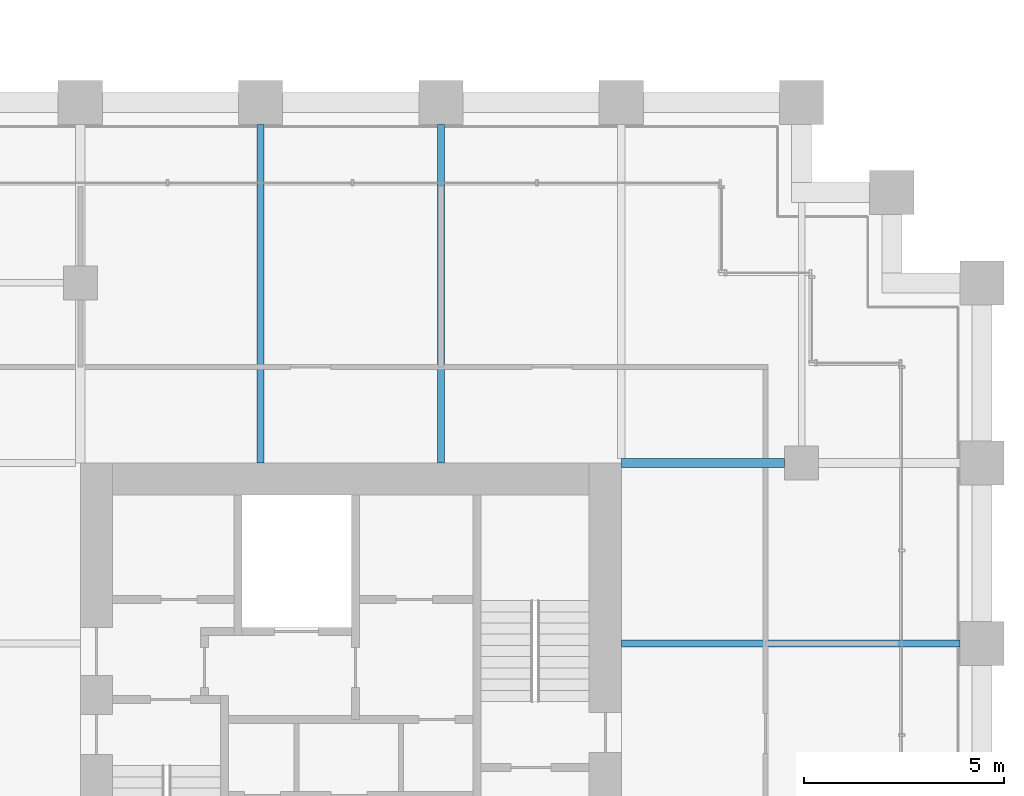
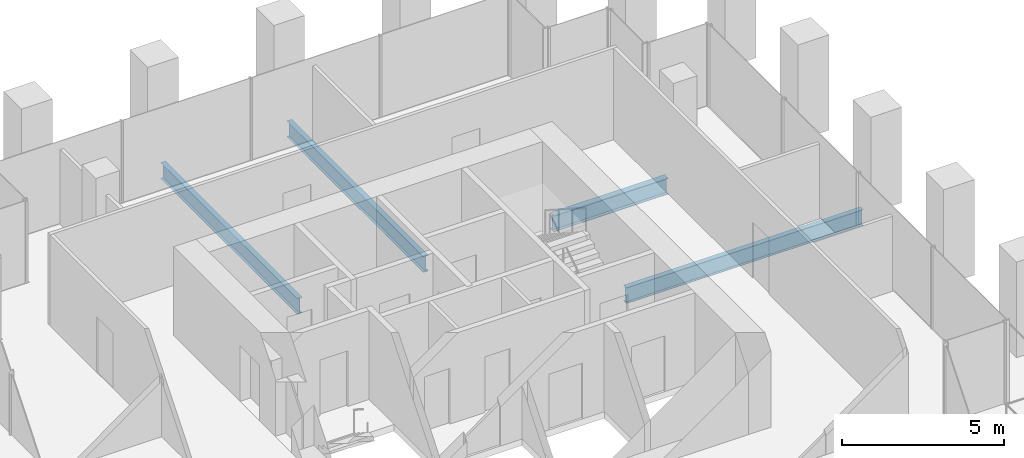
# One storey, part 43 of 56: 4 beams.
"""IFC4 building model written with IfcOpenShell, lengths in metres."""

from ifc_helpers import new_model, si_unit, direction, frame, origin, origin_2d, place, context, subcontext, project, spatial, i_section, extrude, material, material_profile, profile_set, type_object, element, save


model = new_model("IFC4")

# Units and contexts
model_context = context("Model", 3, precision=1e-05, world=origin(), true_north=direction((0.0, 1.0)))
body_context = subcontext(model_context, "Body", "Model", "MODEL_VIEW")
ifc_project = project(units=[si_unit("LENGTHUNIT", "METRE"), si_unit("AREAUNIT", "SQUARE_METRE"), si_unit("VOLUMEUNIT", "CUBIC_METRE"), si_unit("PLANEANGLEUNIT", "RADIAN"), si_unit("MASSUNIT", "GRAM", prefix="KILO")], contexts=[model_context])

# Site, building, storey
site_placement = place(None, origin())
site = spatial("IfcSite", under=ifc_project, at=site_placement, CompositionType="ELEMENT")
building_placement = place(site_placement, origin())
building = spatial("IfcBuilding", under=site, at=building_placement, Name="Altepetl Exchange Towers", CompositionType="ELEMENT")
storey_placement = place(building_placement, frame((0.0, 0.0, 72.60009765625)))
storey = spatial("IfcBuildingStorey", under=building, at=storey_placement, Name="L17", CompositionType="ELEMENT", Elevation=72.60009765625)

# Beams
ifc_material = material(Name="Steel S355", Category="steel")
ifc_material_profile_1 = material_profile(ifc_material, i_section(OverallWidth=0.177978515625, OverallDepth=0.59912109375, WebThickness=0.010009765625, FlangeThickness=0.0126953125, at=origin_2d()), Name="W24X55")
ifc_profile_set_1 = profile_set([ifc_material_profile_1], Name="Steel S355")
beam_type_1 = type_object("IfcBeamType", Name="Floor beam W24X55", PredefinedType="BEAM", material=ifc_profile_set_1)
for number, where, z_axis, x_axis, name in (
    (1, (108.0, 49.5, -0.44970703125), (0.0, 1.0, 0.0), (-1.0, 0.0, 0.0), "bm:B:L17:000"),
    (2, (112.5, 49.5, -0.44970703125), (0.0, 1.0, 0.0), (-1.0, 0.0, 0.0), "bm:B:L17:001"),
    (3, (117.0, 45.0, -0.44970703125), (1.0, 0.0, 0.0), (0.0, 1.0, 0.0), "bm:B:L17:007"),
):
    element("IfcBeam", number, at=place(storey_placement, frame(where, z_axis=z_axis, x_axis=x_axis)), inside=storey, type_object=beam_type_1, Name=name, PredefinedType="BEAM", context=body_context, shape_type="SweptSolid", body=[
        extrude(i_section(OverallWidth=0.177978515625, OverallDepth=0.59912109375, WebThickness=0.010009765625, FlangeThickness=0.0126953125, at=origin_2d()), origin(), (0.0, 0.0, 1.0), 8.449951171875),
    ])
ifc_material_profile_2 = material_profile(ifc_material, i_section(OverallWidth=0.22802734375, OverallDepth=0.60791015625, WebThickness=0.01123046875, FlangeThickness=0.017333984375, at=origin_2d()), Name="W24X76")
ifc_profile_set_2 = profile_set([ifc_material_profile_2], Name="Steel S355")
beam_type_2 = type_object("IfcBeamType", Name="Girder W24X76", PredefinedType="BEAM", material=ifc_profile_set_2)
beam_placement = place(storey_placement, frame((117.0, 49.5, -0.4541015625), z_axis=(1.0, 0.0, 0.0), x_axis=(0.0, 1.0, 0.0)))
element("IfcBeam", 4, at=beam_placement, inside=storey, type_object=beam_type_2, Name="gd:B:L17:000", PredefinedType="BEAM", context=body_context, shape_type="SweptSolid", body=[
    extrude(i_section(OverallWidth=0.22802734375, OverallDepth=0.60791015625, WebThickness=0.01123046875, FlangeThickness=0.017333984375, at=origin_2d()), origin(), (0.0, 0.0, 1.0), 4.074951171875),
])

save(model, "model.ifc")
